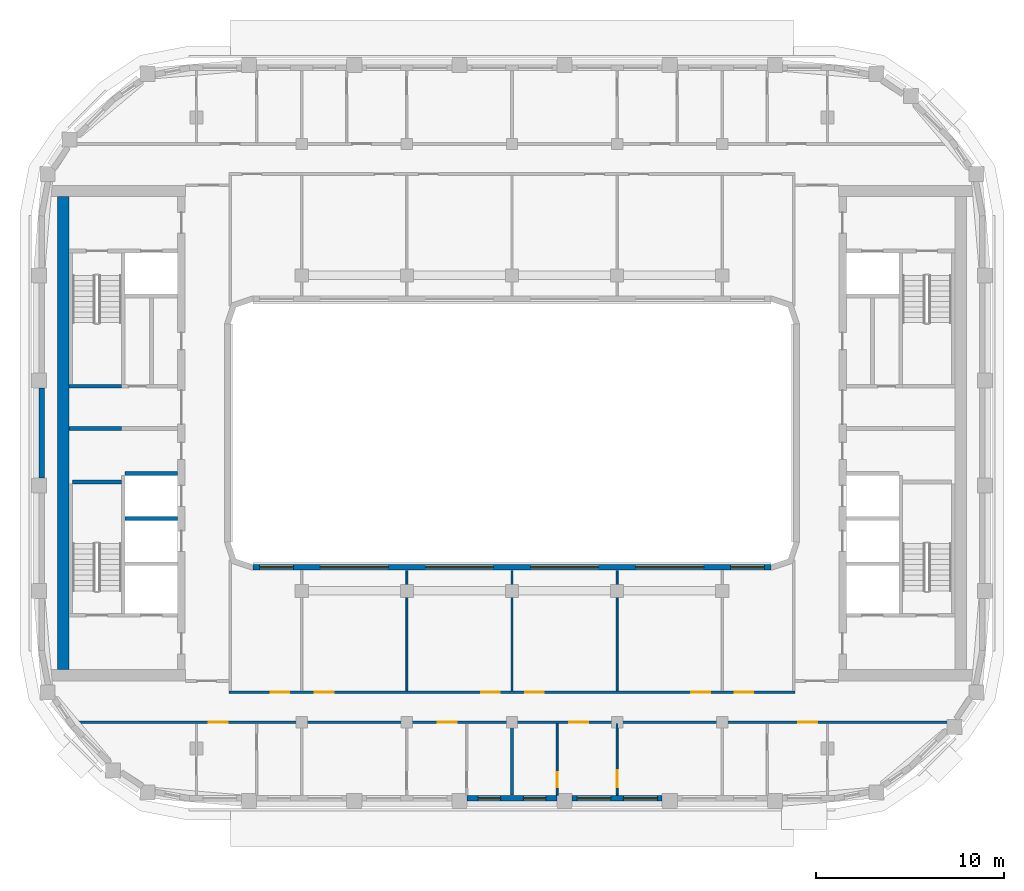
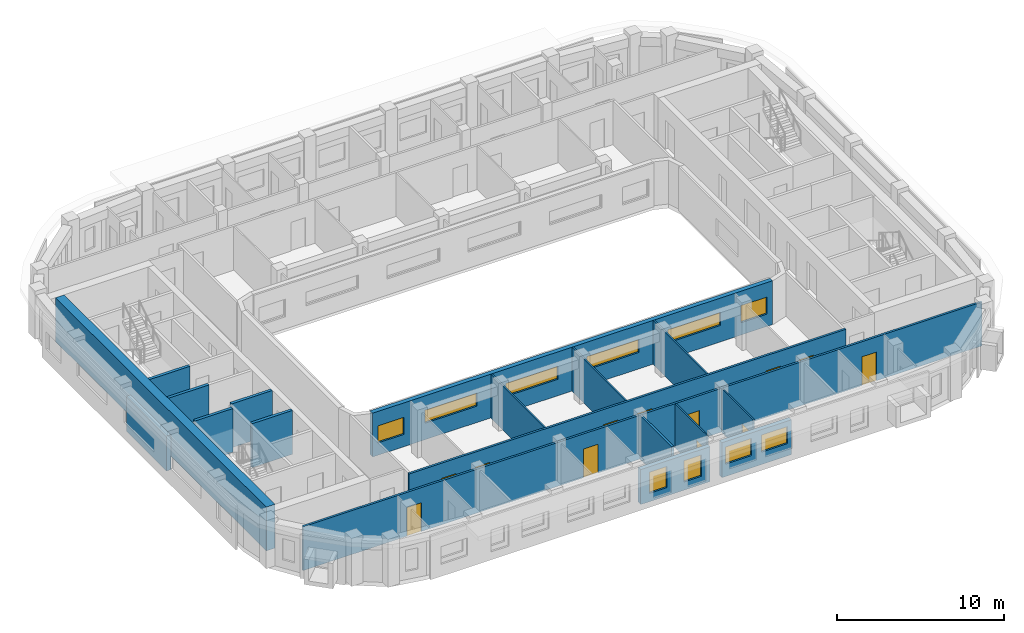
# One storey, part 3 of 15: 18 walls, 12 doors, 10 windows, 22 openings.
"""IFC4 building model written with IfcOpenShell, lengths in metres."""

import ifcopenshell
import ifcopenshell.guid

model = None  # the IFC model being written
_history = None  # IfcOwnerHistory: only IFC2X3 demands one
_inside = {}  # id of a spatial element -> (the spatial element, [elements in it])
_under = {}  # id of a project, library or spatial element -> (it, [spatial elements below it])
_declared = {}  # id of a project -> (the project, [libraries it declares])
_typed = {}  # id of a type object -> (the type object, [elements of that type])
_made_of = {}  # id of a material, layer set ... -> (it, [elements and type objects made of it])


def new_model(schema):
    """Start an empty IFC model of exactly this schema.

    Asked for "IFC4X3", IfcOpenShell would pick the latest addendum, in which some entities
    have other attributes; the version numbers below select the first issue.
    IFC2X3 requires an IfcOwnerHistory on every rooted entity: one is made here for all.
    """
    global model, _history
    if schema == "IFC4X3":
        model = ifcopenshell.file(schema_version=(4, 3, 0, 0))
    else:
        model = ifcopenshell.file(schema=schema)
    _inside.clear()
    _under.clear()
    _declared.clear()
    _typed.clear()
    _made_of.clear()
    _history = None
    if model.schema == "IFC2X3":
        org = make("IfcOrganization", Name="unknown")
        user = make(
            "IfcPersonAndOrganization",
            ThePerson=make("IfcPerson", FamilyName="unknown"),
            TheOrganization=org,
        )
        app = make(
            "IfcApplication",
            ApplicationDeveloper=org,
            Version="unknown",
            ApplicationFullName="unknown",
            ApplicationIdentifier="unknown",
        )
        _history = make(
            "IfcOwnerHistory",
            OwningUser=user,
            OwningApplication=app,
            ChangeAction="ADDED",
            CreationDate=0,
        )
    return model


def make(cls, **values):
    """One entity of the class cls with the attributes given. An attribute that is None is left unset."""
    return model.create_entity(
        cls, **{name: value for name, value in values.items() if value is not None}
    )


def rooted(cls, **values):
    """An entity with a GlobalId (a new one), such as an element, a storey or a relation."""
    return make(cls, GlobalId=ifcopenshell.guid.new(), OwnerHistory=_history, **values)


def si_unit(unit_type, name, prefix=None):
    """IfcSIUnit, for example si_unit("LENGTHUNIT", "METRE", prefix="MILLI")."""
    return make("IfcSIUnit", UnitType=unit_type, Prefix=prefix, Name=name)


def assignment(units):
    """IfcUnitAssignment: the units of a project."""
    return None if units is None else make("IfcUnitAssignment", Units=units)


def point(xyz):
    """IfcCartesianPoint."""
    return None if xyz is None else make("IfcCartesianPoint", Coordinates=xyz)


def direction(xyz):
    """IfcDirection."""
    return None if xyz is None else make("IfcDirection", DirectionRatios=xyz)


def frame(location, z_axis=None, x_axis=None):
    """IfcAxis2Placement3D, a coordinate frame: its origin and axes. An axis left out is left unset."""
    return make(
        "IfcAxis2Placement3D",
        Location=point(location),
        Axis=direction(z_axis),
        RefDirection=direction(x_axis),
    )


def frame_2d(location, x_axis=None):
    """IfcAxis2Placement2D, a coordinate frame in the plane: its origin and x axis."""
    return make(
        "IfcAxis2Placement2D", Location=point(location), RefDirection=direction(x_axis)
    )


def origin():
    """The frame at (0, 0, 0) with its axes left unset."""
    return frame((0.0, 0.0, 0.0))


def place(relative_to, where):
    """IfcLocalPlacement: puts the frame where relative to a parent placement (None: the world)."""
    return make(
        "IfcLocalPlacement", PlacementRelTo=relative_to, RelativePlacement=where
    )


def context(
    kind, dimensions, precision=None, world=None, true_north=None, identifier=None
):
    """IfcGeometricRepresentationContext, for example the 3D "Model" context."""
    return make(
        "IfcGeometricRepresentationContext",
        ContextIdentifier=identifier,
        ContextType=kind,
        CoordinateSpaceDimension=dimensions,
        Precision=precision,
        WorldCoordinateSystem=world,
        TrueNorth=true_north,
    )


def subcontext(parent, identifier, kind, view, scale=None):
    """IfcGeometricRepresentationSubContext, for example "Body" below "Model"."""
    return make(
        "IfcGeometricRepresentationSubContext",
        ContextIdentifier=identifier,
        ContextType=kind,
        ParentContext=parent,
        TargetScale=scale,
        TargetView=view,
    )


def project(units=None, contexts=None):
    """IfcProject with its units and contexts."""
    return rooted(
        "IfcProject",
        Name="project",
        RepresentationContexts=contexts,
        UnitsInContext=assignment(units),
    )


def spatial(cls, under=None, at=None, **own):
    """A site, building, storey or space (cls), placed at a placement, below another one or the project."""
    s = rooted(cls, ObjectPlacement=at, **own)
    if under is not None:
        _under.setdefault(under.id(), (under, []))[1].append(s)
    return s


def profile(cls, at=None, kind="AREA", **sizes):
    """A parametric profile (cls). Its sizes go by their IFC names, for example OverallWidth=200.0."""
    return make(cls, ProfileType=kind, Position=at, **sizes)


def rectangle(**sizes):
    """IfcRectangleProfileDef."""
    return profile("IfcRectangleProfileDef", **sizes)


def extrude(swept, where, along, depth):
    """IfcExtrudedAreaSolid: the profile swept, set in the frame where, extruded along a direction by depth."""
    return make(
        "IfcExtrudedAreaSolid",
        SweptArea=swept,
        Position=where,
        ExtrudedDirection=direction(along),
        Depth=depth,
    )


def shape(context_of_items, identifier, shape_type, items):
    """IfcShapeRepresentation: the items that make up one representation, for example the "Body"."""
    return make(
        "IfcShapeRepresentation",
        ContextOfItems=context_of_items,
        RepresentationIdentifier=identifier,
        RepresentationType=shape_type,
        Items=items,
    )


def material(Name=None, Category=None):
    """IfcMaterial."""
    return make("IfcMaterial", Name=Name, Category=Category)


def layer(
    of_material, thickness, ventilated=None, Name=None, Category=None, Priority=None
):
    """IfcMaterialLayer: one layer of a wall or slab, of a material (None: an air gap)."""
    return make(
        "IfcMaterialLayer",
        Material=of_material,
        LayerThickness=thickness,
        IsVentilated=ventilated,
        Name=Name,
        Category=Category,
        Priority=Priority,
    )


def layer_set(layers, Name=None):
    """IfcMaterialLayerSet."""
    return make("IfcMaterialLayerSet", MaterialLayers=layers, LayerSetName=Name)


def made_of(thing, what):
    """Note that an element or type object is made of a material, layer set ...; save() writes the relation."""
    if what is not None:
        _made_of.setdefault(what.id(), (what, []))[1].append(thing)
    return thing


def type_object(cls, material=None, **own):
    """A type object (cls), such as IfcWallType, which elements share."""
    return made_of(rooted(cls, **own), material)


def element(
    cls,
    number,
    at=None,
    inside=None,
    cuts=None,
    type_object=None,
    material=None,
    context=None,
    identifier="Body",
    shape_type=None,
    held_by="IfcProductDefinitionShape",
    body=None,
    shapes=None,
    **own,
):
    """One element of the class cls, such as IfcWall. Its Tag is "e" and its number.

    at: its placement. inside: the storey or other place that contains it. cuts: it is an
    opening in that element (IfcRelVoidsElement). A single representation is given by context,
    identifier, shape_type and body (its items); several are given by shapes. held_by: the class
    of the entity that holds the representations. save() writes the other relations.
    """
    e = rooted(cls, Tag="e%d" % number, ObjectPlacement=at, **own)
    if body is not None:
        shapes = [shape(context, identifier, shape_type, body)]
    if shapes is not None:
        e.Representation = make(held_by, Representations=shapes)
    if inside is not None:
        _inside.setdefault(inside.id(), (inside, []))[1].append(e)
    if cuts is not None:
        rooted(
            "IfcRelVoidsElement", RelatingBuildingElement=cuts, RelatedOpeningElement=e
        )
    if type_object is not None:
        _typed.setdefault(type_object.id(), (type_object, []))[1].append(e)
    return made_of(e, material)


def fill(opening, filler):
    """IfcRelFillsElement: the door or window that sits in an opening."""
    return rooted(
        "IfcRelFillsElement",
        RelatingOpeningElement=opening,
        RelatedBuildingElement=filler,
    )


def aggregate(whole, parts):
    """IfcRelAggregates: a whole, such as a stair, and the parts it consists of."""
    return rooted("IfcRelAggregates", RelatingObject=whole, RelatedObjects=parts)


def save(model, path):
    """Write the relations noted so far, then the file.

    IfcRelAggregates (storeys below a building ...), IfcRelContainedInSpatialStructure (elements
    in a storey), IfcRelDefinesByType, IfcRelAssociatesMaterial and IfcRelDeclares: one each for
    every whole, place, type object, material and project.
    """
    for whole, parts in _under.values():
        aggregate(whole, parts)
    for where, things in _inside.values():
        rooted(
            "IfcRelContainedInSpatialStructure",
            RelatedElements=things,
            RelatingStructure=where,
        )
    for kind, things in _typed.values():
        rooted("IfcRelDefinesByType", RelatedObjects=things, RelatingType=kind)
    for what, things in _made_of.values():
        rooted("IfcRelAssociatesMaterial", RelatedObjects=things, RelatingMaterial=what)
    for by, libraries in _declared.values():
        rooted("IfcRelDeclares", RelatingContext=by, RelatedDefinitions=libraries)
    model.write(path)


model = new_model("IFC4")

# Units and contexts
model_context = context("Model", 3, precision=1e-05, world=origin(), true_north=direction((0.0, 1.0)))
body_context = subcontext(model_context, "Body", "Model", "MODEL_VIEW")
ifc_project = project(units=[si_unit("LENGTHUNIT", "METRE"), si_unit("AREAUNIT", "SQUARE_METRE"), si_unit("VOLUMEUNIT", "CUBIC_METRE"), si_unit("PLANEANGLEUNIT", "RADIAN"), si_unit("MASSUNIT", "GRAM", prefix="KILO")], contexts=[model_context])

# Site, building, storey
site_placement = place(None, origin())
site = spatial("IfcSite", under=ifc_project, at=site_placement, CompositionType="ELEMENT")
building_placement = place(site_placement, origin())
building = spatial("IfcBuilding", under=site, at=building_placement, Name="Kiln Ring Residences", CompositionType="ELEMENT")
storey_placement = place(building_placement, frame((0.0, 0.0, 248.699951171875)))
storey = spatial("IfcBuildingStorey", under=building, at=storey_placement, Name="L64", CompositionType="ELEMENT", Elevation=248.699951171875)

# Walls
ifc_material_1 = material(Name="Gypsum board on steel studs", Category="steel")
ifc_layer_1 = layer(ifc_material_1, 0.199951171875)
ifc_layer_set_1 = layer_set([ifc_layer_1], Name="CORE-PARTITION-200")
wall_type_1 = type_object("IfcWallType", Name="CORE-PARTITION-200", PredefinedType="PARTITIONING", material=ifc_layer_set_1)
wall_1_placement = place(storey_placement, frame((-20.800048828125, 0.25, 0.0), z_axis=(0.0, 0.0, 1.0), x_axis=(-1.0, 0.0, 0.0)))
element("IfcWall", 1, at=wall_1_placement, inside=storey, type_object=wall_type_1, Name="Core partition west L64 1", PredefinedType="PARTITIONING", context=body_context, shape_type="SweptSolid", body=[
    extrude(rectangle(XDim=2.800048828125, YDim=0.199951171875, at=frame_2d((1.39990234375, 0.0))), origin(), (0.0, 0.0, 1.0), 3.199951171875),
])
ifc_material_2 = material(Name="Gypsum shaft wall system")
ifc_layer_2 = layer(ifc_material_2, 0.199951171875)
ifc_layer_set_2 = layer_set([ifc_layer_2], Name="CORE-SHAFT-WALL-200")
wall_type_2 = type_object("IfcWallType", Name="CORE-SHAFT-WALL-200", PredefinedType="PARTITIONING", material=ifc_layer_set_2)
for number, where, z_axis, x_axis, name in (
    (2, (-17.800048828125, -4.550048828125, 0.0), (0.0, 0.0, 1.0), (-1.0, 0.0, 0.0), "Core partition west L64 4"),
    (3, (-17.800048828125, -2.14990234375, 0.0), (0.0, 0.0, 1.0), (-1.0, 0.0, 0.0), "Core partition west L64 5"),
):
    element("IfcWall", number, at=place(storey_placement, frame(where, z_axis=z_axis, x_axis=x_axis)), inside=storey, type_object=wall_type_2, Name=name, PredefinedType="PARTITIONING", context=body_context, shape_type="SweptSolid", body=[
        extrude(rectangle(XDim=2.800048828125, YDim=0.199951171875, at=frame_2d((1.39990234375, 0.0))), origin(), (0.0, 0.0, 1.0), 3.199951171875),
    ])
ifc_material_3 = material(Name="Concrete C40/50", Category="concrete")
ifc_layer_3 = layer(ifc_material_3, 0.199951171875)
ifc_layer_set_3 = layer_set([ifc_layer_3], Name="CORE-WALL-RC200")
wall_type_3 = type_object("IfcWallType", Name="CORE-WALL-RC200", PredefinedType="SHEAR", material=ifc_layer_set_3)
wall_2_placement = place(storey_placement, frame((-20.800048828125, 2.5, 0.0), z_axis=(0.0, 0.0, 1.0), x_axis=(-1.0, 0.0, 0.0)))
element("IfcWall", 4, at=wall_2_placement, inside=storey, type_object=wall_type_3, Name="Core wall west L64 3", PredefinedType="SHEAR", context=body_context, shape_type="SweptSolid", body=[
    extrude(rectangle(XDim=2.800048828125, YDim=0.199951171875, at=frame_2d((1.39990234375, 0.0))), origin(), (0.0, 0.0, 1.0), 3.199951171875),
])
wall_3_placement = place(storey_placement, frame((-20.800048828125, -2.60009765625, 0.0), z_axis=(0.0, 0.0, 1.0), x_axis=(-1.0, 0.0, 0.0)))
element("IfcWall", 5, at=wall_3_placement, inside=storey, type_object=wall_type_3, Name="Core wall west L64 12", PredefinedType="SHEAR", context=body_context, shape_type="SweptSolid", body=[
    extrude(rectangle(XDim=2.599853515625, YDim=0.199951171875, at=frame_2d((1.2998046875, 0.0))), origin(), (0.0, 0.0, 1.0), 3.199951171875),
])
ifc_material_4 = material(Name="Concrete C60/75", Category="concrete")
ifc_layer_4 = layer(ifc_material_4, 0.60009765625)
ifc_layer_set_4 = layer_set([ifc_layer_4], Name="CORE-WALL-RC600")
wall_type_4 = type_object("IfcWallType", Name="CORE-WALL-RC600", PredefinedType="SHEAR", material=ifc_layer_set_4)
wall_4_placement = place(storey_placement, frame((-23.89990234375, -12.60009765625, 0.0), z_axis=(0.0, 0.0, 1.0), x_axis=(0.0, 1.0, 0.0)))
element("IfcWall", 6, at=wall_4_placement, inside=storey, type_object=wall_type_4, Name="Core wall west L64 7", PredefinedType="SHEAR", context=body_context, shape_type="SweptSolid", body=[
    extrude(rectangle(XDim=25.2001953125, YDim=0.60009765625, at=frame_2d((12.60009765625, 0.0))), origin(), (0.0, 0.0, 1.0), 3.199951171875),
])

# Wall, openings, windows
ifc_material_5 = material(Name="Brick masonry, dark clay brick", Category="masonry")
ifc_layer_5 = layer(ifc_material_5, 0.300048828125)
ifc_layer_set_5 = layer_set([ifc_layer_5], Name="EW-300 BRICK WALL")
wall_type_5 = type_object("IfcWallType", Name="EW-300 BRICK WALL", PredefinedType="SOLIDWALL", material=ifc_layer_set_5)
wall_5_placement = place(storey_placement, frame((-2.39990234375, -19.449951171875, 0.0), z_axis=(0.0, 0.0, 1.0), x_axis=(1.0, 0.0, 0.0)))
wall_5 = element("IfcWall", 7, at=wall_5_placement, inside=storey, type_object=wall_type_5, Name="Facade wall L64 7", PredefinedType="SOLIDWALL", context=body_context, shape_type="SweptSolid", body=[
    extrude(rectangle(XDim=4.7998046875, YDim=0.300048828125, at=frame_2d((2.39990234375, 0.0))), origin(), (0.0, 0.0, 1.0), 2.550048828125),
])
opening_1_placement = place(wall_5_placement, frame((0.60009765625, 0.0, 0.60009765625)))
opening_1 = element("IfcOpeningElement", 8, at=opening_1_placement, cuts=wall_5, Name="Opening W1", PredefinedType="OPENING", context=body_context, shape_type="SweptSolid", body=[
    extrude(rectangle(XDim=1.199951171875, YDim=1.550048828125, at=frame_2d((0.60009765625, 0.77490234375))), frame((0.0, 0.159912109375, 0.0), z_axis=(0.0, -1.0, 0.0), x_axis=(1.0, 0.0, 0.0)), (0.0, 0.0, 1.0), 0.320068359375),
])
opening_2_placement = place(wall_5_placement, frame((3.0, 0.0, 0.60009765625)))
opening_2 = element("IfcOpeningElement", 9, at=opening_2_placement, cuts=wall_5, Name="Opening W1", PredefinedType="OPENING", context=body_context, shape_type="SweptSolid", body=[
    extrude(rectangle(XDim=1.199951171875, YDim=1.550048828125, at=frame_2d((0.60009765625, 0.77490234375))), frame((0.0, 0.159912109375, 0.0), z_axis=(0.0, -1.0, 0.0), x_axis=(1.0, 0.0, 0.0)), (0.0, 0.0, 1.0), 0.320068359375),
])
ifc_material_6 = material(Name="Aluminium frame with double glazing", Category="aluminium")
window_type_1 = type_object("IfcWindowType", Name="WINDOW 1200 x 1550", PartitioningType="SINGLE_PANEL", PredefinedType="WINDOW", material=ifc_material_6)
window_1_placement = place(opening_1_placement, origin())
window_1 = element("IfcWindow", 10, at=window_1_placement, inside=storey, type_object=window_type_1, Name="Window L64 8", OverallHeight=1.550048828125, OverallWidth=1.199951171875, PartitioningType="SINGLE_PANEL", PredefinedType="WINDOW", context=body_context, shape_type="SweptSolid", body=[
    extrude(rectangle(XDim=1.199951171875, YDim=1.550048828125, at=frame_2d((0.60009765625, 0.77490234375))), frame((0.0, 0.030029296875, 0.0), z_axis=(0.0, -1.0, 0.0), x_axis=(1.0, 0.0, 0.0)), (0.0, 0.0, 1.0), 0.06005859375),
])
fill(opening_1, window_1)
window_2_placement = place(opening_2_placement, origin())
window_2 = element("IfcWindow", 11, at=window_2_placement, inside=storey, type_object=window_type_1, Name="Window L64 9", OverallHeight=1.550048828125, OverallWidth=1.199951171875, PartitioningType="SINGLE_PANEL", PredefinedType="WINDOW", context=body_context, shape_type="SweptSolid", body=[
    extrude(rectangle(XDim=1.199951171875, YDim=1.550048828125, at=frame_2d((0.60009765625, 0.77490234375))), frame((0.0, 0.030029296875, 0.0), z_axis=(0.0, -1.0, 0.0), x_axis=(1.0, 0.0, 0.0)), (0.0, 0.0, 1.0), 0.06005859375),
])
fill(opening_2, window_2)

wall_6_placement = place(storey_placement, frame((3.199951171875, -19.449951171875, 0.0), z_axis=(0.0, 0.0, 1.0), x_axis=(1.0, 0.0, 0.0)))
wall_6 = element("IfcWall", 12, at=wall_6_placement, inside=storey, type_object=wall_type_5, Name="Facade wall L64 8", PredefinedType="SOLIDWALL", context=body_context, shape_type="SweptSolid", body=[
    extrude(rectangle(XDim=4.800048828125, YDim=0.300048828125, at=frame_2d((2.39990234375, 0.0))), origin(), (0.0, 0.0, 1.0), 2.550048828125),
])
opening_3_placement = place(wall_6_placement, frame((0.262451171875, 0.0, 0.89990234375)))
opening_3 = element("IfcOpeningElement", 13, at=opening_3_placement, cuts=wall_6, Name="Opening W2", PredefinedType="OPENING", context=body_context, shape_type="SweptSolid", body=[
    extrude(rectangle(XDim=1.800048828125, YDim=1.25, at=frame_2d((0.89990234375, 0.625))), frame((0.0, 0.159912109375, 0.0), z_axis=(0.0, -1.0, 0.0), x_axis=(1.0, 0.0, 0.0)), (0.0, 0.0, 1.0), 0.320068359375),
])
opening_4_placement = place(wall_6_placement, frame((2.737548828125, 0.0, 0.89990234375)))
opening_4 = element("IfcOpeningElement", 14, at=opening_4_placement, cuts=wall_6, Name="Opening W2", PredefinedType="OPENING", context=body_context, shape_type="SweptSolid", body=[
    extrude(rectangle(XDim=1.800048828125, YDim=1.25, at=frame_2d((0.89990234375, 0.625))), frame((0.0, 0.159912109375, 0.0), z_axis=(0.0, -1.0, 0.0), x_axis=(1.0, 0.0, 0.0)), (0.0, 0.0, 1.0), 0.320068359375),
])
ifc_material_7 = material(Name="Aluminium frame with double glazing", Category="aluminium")
window_type_2 = type_object("IfcWindowType", Name="WINDOW 1800 x 1250", PartitioningType="SINGLE_PANEL", PredefinedType="WINDOW", material=ifc_material_7)
window_3_placement = place(opening_3_placement, origin())
window_3 = element("IfcWindow", 15, at=window_3_placement, inside=storey, type_object=window_type_2, Name="Window L64 10", OverallHeight=1.25, OverallWidth=1.800048828125, PartitioningType="SINGLE_PANEL", PredefinedType="WINDOW", context=body_context, shape_type="SweptSolid", body=[
    extrude(rectangle(XDim=1.800048828125, YDim=1.25, at=frame_2d((0.89990234375, 0.625))), frame((0.0, 0.030029296875, 0.0), z_axis=(0.0, -1.0, 0.0), x_axis=(1.0, 0.0, 0.0)), (0.0, 0.0, 1.0), 0.06005859375),
])
fill(opening_3, window_3)
window_4_placement = place(opening_4_placement, origin())
window_4 = element("IfcWindow", 16, at=window_4_placement, inside=storey, type_object=window_type_2, Name="Window L64 11", OverallHeight=1.25, OverallWidth=1.800048828125, PartitioningType="SINGLE_PANEL", PredefinedType="WINDOW", context=body_context, shape_type="SweptSolid", body=[
    extrude(rectangle(XDim=1.800048828125, YDim=1.25, at=frame_2d((0.89990234375, 0.625))), frame((0.0, 0.030029296875, 0.0), z_axis=(0.0, -1.0, 0.0), x_axis=(1.0, 0.0, 0.0)), (0.0, 0.0, 1.0), 0.06005859375),
])
fill(opening_4, window_4)

# Wall
wall_7_placement = place(storey_placement, frame((-25.050048828125, 2.39990234375, 0.0), z_axis=(0.0, 0.0, 1.0), x_axis=(0.0, -1.0, 0.0)))
element("IfcWall", 17, at=wall_7_placement, inside=storey, type_object=wall_type_5, Name="Facade wall L64 40", PredefinedType="SOLIDWALL", context=body_context, shape_type="SweptSolid", body=[
    extrude(rectangle(XDim=4.7998046875, YDim=0.300048828125, at=frame_2d((2.39990234375, 0.0))), origin(), (0.0, 0.0, 1.0), 2.550048828125),
])

# Wall, openings, windows
wall_8_placement = place(storey_placement, frame((13.800048828125, -7.14990234375, 0.0), z_axis=(0.0, 0.0, 1.0), x_axis=(-1.0, 0.0, 0.0)))
wall_8 = element("IfcWall", 18, at=wall_8_placement, inside=storey, type_object=wall_type_5, Name="Facade wall L64 48", PredefinedType="SOLIDWALL", context=body_context, shape_type="SweptSolid", body=[
    extrude(rectangle(XDim=27.60009765625, YDim=0.300048828125, at=frame_2d((13.800048828125, 0.0))), origin(), (0.0, 0.0, 1.0), 3.199951171875),
])
opening_5_placement = place(wall_8_placement, frame((0.362548828125, 0.0, 0.89990234375)))
opening_5 = element("IfcOpeningElement", 19, at=opening_5_placement, cuts=wall_8, Name="Opening W2", PredefinedType="OPENING", context=body_context, shape_type="SweptSolid", body=[
    extrude(rectangle(XDim=1.800048828125, YDim=1.25, at=frame_2d((0.89990234375, 0.625))), frame((0.0, 0.159912109375, 0.0), z_axis=(0.0, -1.0, 0.0), x_axis=(1.0, 0.0, 0.0)), (0.0, 0.0, 1.0), 0.320068359375),
])
opening_6_placement = place(wall_8_placement, frame((3.60009765625, 0.0, 1.199951171875)))
opening_6 = element("IfcOpeningElement", 20, at=opening_6_placement, cuts=wall_8, Name="Opening W4", PredefinedType="OPENING", context=body_context, shape_type="SweptSolid", body=[
    extrude(rectangle(XDim=3.60009765625, YDim=0.949951171875, at=frame_2d((1.800048828125, 0.47509765625))), frame((0.0, 0.159912109375, 0.0), z_axis=(0.0, -1.0, 0.0), x_axis=(1.0, 0.0, 0.0)), (0.0, 0.0, 1.0), 0.320068359375),
])
opening_7_placement = place(wall_8_placement, frame((9.199951171875, 0.0, 1.199951171875)))
opening_7 = element("IfcOpeningElement", 21, at=opening_7_placement, cuts=wall_8, Name="Opening W4", PredefinedType="OPENING", context=body_context, shape_type="SweptSolid", body=[
    extrude(rectangle(XDim=3.60009765625, YDim=0.949951171875, at=frame_2d((1.800048828125, 0.47509765625))), frame((0.0, 0.159912109375, 0.0), z_axis=(0.0, -1.0, 0.0), x_axis=(1.0, 0.0, 0.0)), (0.0, 0.0, 1.0), 0.320068359375),
])
opening_8_placement = place(wall_8_placement, frame((14.800048828125, 0.0, 1.199951171875)))
opening_8 = element("IfcOpeningElement", 22, at=opening_8_placement, cuts=wall_8, Name="Opening W4", PredefinedType="OPENING", context=body_context, shape_type="SweptSolid", body=[
    extrude(rectangle(XDim=3.60009765625, YDim=0.949951171875, at=frame_2d((1.800048828125, 0.47509765625))), frame((0.0, 0.159912109375, 0.0), z_axis=(0.0, -1.0, 0.0), x_axis=(1.0, 0.0, 0.0)), (0.0, 0.0, 1.0), 0.320068359375),
])
opening_9_placement = place(wall_8_placement, frame((20.39990234375, 0.0, 1.199951171875)))
opening_9 = element("IfcOpeningElement", 23, at=opening_9_placement, cuts=wall_8, Name="Opening W4", PredefinedType="OPENING", context=body_context, shape_type="SweptSolid", body=[
    extrude(rectangle(XDim=3.60009765625, YDim=0.949951171875, at=frame_2d((1.800048828125, 0.47509765625))), frame((0.0, 0.159912109375, 0.0), z_axis=(0.0, -1.0, 0.0), x_axis=(1.0, 0.0, 0.0)), (0.0, 0.0, 1.0), 0.320068359375),
])
opening_10_placement = place(wall_8_placement, frame((25.4375, 0.0, 0.89990234375)))
opening_10 = element("IfcOpeningElement", 24, at=opening_10_placement, cuts=wall_8, Name="Opening W2", PredefinedType="OPENING", context=body_context, shape_type="SweptSolid", body=[
    extrude(rectangle(XDim=1.800048828125, YDim=1.25, at=frame_2d((0.89990234375, 0.625))), frame((0.0, 0.159912109375, 0.0), z_axis=(0.0, -1.0, 0.0), x_axis=(1.0, 0.0, 0.0)), (0.0, 0.0, 1.0), 0.320068359375),
])
window_5_placement = place(opening_5_placement, origin())
window_5 = element("IfcWindow", 25, at=window_5_placement, inside=storey, type_object=window_type_2, Name="Window L64 43", OverallHeight=1.25, OverallWidth=1.800048828125, PartitioningType="SINGLE_PANEL", PredefinedType="WINDOW", context=body_context, shape_type="SweptSolid", body=[
    extrude(rectangle(XDim=1.800048828125, YDim=1.25, at=frame_2d((0.89990234375, 0.625))), frame((0.0, 0.030029296875, 0.0), z_axis=(0.0, -1.0, 0.0), x_axis=(1.0, 0.0, 0.0)), (0.0, 0.0, 1.0), 0.06005859375),
])
fill(opening_5, window_5)
window_6_placement = place(opening_10_placement, origin())
window_6 = element("IfcWindow", 26, at=window_6_placement, inside=storey, type_object=window_type_2, Name="Window L64 48", OverallHeight=1.25, OverallWidth=1.800048828125, PartitioningType="SINGLE_PANEL", PredefinedType="WINDOW", context=body_context, shape_type="SweptSolid", body=[
    extrude(rectangle(XDim=1.800048828125, YDim=1.25, at=frame_2d((0.89990234375, 0.625))), frame((0.0, 0.030029296875, 0.0), z_axis=(0.0, -1.0, 0.0), x_axis=(1.0, 0.0, 0.0)), (0.0, 0.0, 1.0), 0.06005859375),
])
fill(opening_10, window_6)
ifc_material_8 = material(Name="Aluminium frame with double glazing", Category="aluminium")
window_type_3 = type_object("IfcWindowType", Name="WINDOW 3600 x 950", PartitioningType="SINGLE_PANEL", PredefinedType="WINDOW", material=ifc_material_8)
window_7_placement = place(opening_6_placement, origin())
window_7 = element("IfcWindow", 27, at=window_7_placement, inside=storey, type_object=window_type_3, Name="Window L64 44", OverallHeight=0.949951171875, OverallWidth=3.60009765625, PartitioningType="SINGLE_PANEL", PredefinedType="WINDOW", context=body_context, shape_type="SweptSolid", body=[
    extrude(rectangle(XDim=3.60009765625, YDim=0.949951171875, at=frame_2d((1.800048828125, 0.47509765625))), frame((0.0, 0.030029296875, 0.0), z_axis=(0.0, -1.0, 0.0), x_axis=(1.0, 0.0, 0.0)), (0.0, 0.0, 1.0), 0.06005859375),
])
fill(opening_6, window_7)
window_8_placement = place(opening_7_placement, origin())
window_8 = element("IfcWindow", 28, at=window_8_placement, inside=storey, type_object=window_type_3, Name="Window L64 45", OverallHeight=0.949951171875, OverallWidth=3.60009765625, PartitioningType="SINGLE_PANEL", PredefinedType="WINDOW", context=body_context, shape_type="SweptSolid", body=[
    extrude(rectangle(XDim=3.60009765625, YDim=0.949951171875, at=frame_2d((1.800048828125, 0.47509765625))), frame((0.0, 0.030029296875, 0.0), z_axis=(0.0, -1.0, 0.0), x_axis=(1.0, 0.0, 0.0)), (0.0, 0.0, 1.0), 0.06005859375),
])
fill(opening_7, window_8)
window_9_placement = place(opening_8_placement, origin())
window_9 = element("IfcWindow", 29, at=window_9_placement, inside=storey, type_object=window_type_3, Name="Window L64 46", OverallHeight=0.949951171875, OverallWidth=3.60009765625, PartitioningType="SINGLE_PANEL", PredefinedType="WINDOW", context=body_context, shape_type="SweptSolid", body=[
    extrude(rectangle(XDim=3.60009765625, YDim=0.949951171875, at=frame_2d((1.800048828125, 0.47509765625))), frame((0.0, 0.030029296875, 0.0), z_axis=(0.0, -1.0, 0.0), x_axis=(1.0, 0.0, 0.0)), (0.0, 0.0, 1.0), 0.06005859375),
])
fill(opening_8, window_9)
window_10_placement = place(opening_9_placement, origin())
window_10 = element("IfcWindow", 30, at=window_10_placement, inside=storey, type_object=window_type_3, Name="Window L64 47", OverallHeight=0.949951171875, OverallWidth=3.60009765625, PartitioningType="SINGLE_PANEL", PredefinedType="WINDOW", context=body_context, shape_type="SweptSolid", body=[
    extrude(rectangle(XDim=3.60009765625, YDim=0.949951171875, at=frame_2d((1.800048828125, 0.47509765625))), frame((0.0, 0.030029296875, 0.0), z_axis=(0.0, -1.0, 0.0), x_axis=(1.0, 0.0, 0.0)), (0.0, 0.0, 1.0), 0.06005859375),
])
fill(opening_9, window_10)

# Walls
ifc_material_9 = material(Name="Gypsum board on steel studs", Category="steel")
ifc_layer_6 = layer(ifc_material_9, 0.10009765625)
ifc_layer_set_6 = layer_set([ifc_layer_6], Name="PARTITION-100")
wall_type_6 = type_object("IfcWallType", Name="PARTITION-100", PredefinedType="PARTITIONING", material=ifc_layer_set_6)
for number, where, z_axis, x_axis, name in (
    (31, (-5.60009765625, -13.72509765625, 0.0), (0.0, 0.0, 1.0), (0.0, 1.0, 0.0), "Partition 020"),
    (32, (0.0, -13.72509765625, 0.0), (0.0, 0.0, 1.0), (0.0, 1.0, 0.0), "Partition 024"),
):
    element("IfcWall", number, at=place(storey_placement, frame(where, z_axis=z_axis, x_axis=x_axis)), inside=storey, type_object=wall_type_6, Name=name, PredefinedType="PARTITIONING", context=body_context, shape_type="SweptSolid", body=[
        extrude(rectangle(XDim=6.405029296875, YDim=0.10009765625, at=frame_2d((3.20263671875, 0.0))), origin(), (0.0, 0.0, 1.0), 3.199951171875),
    ])

# Wall, opening, door
wall_9_placement = place(storey_placement, frame((2.39990234375, -19.280029296875, 0.0), z_axis=(0.0, 0.0, 1.0), x_axis=(0.0, 1.0, 0.0)))
wall_9 = element("IfcWall", 33, at=wall_9_placement, inside=storey, type_object=wall_type_6, Name="Partition 028", PredefinedType="PARTITIONING", context=body_context, shape_type="SweptSolid", body=[
    extrude(rectangle(XDim=3.804931640625, YDim=0.10009765625, at=frame_2d((1.90234375, 0.0))), origin(), (0.0, 0.0, 1.0), 3.199951171875),
])
opening_11_placement = place(wall_9_placement, frame((0.428955078125, 0.0, 0.0)))
opening_11 = element("IfcOpeningElement", 34, at=opening_11_placement, cuts=wall_9, Name="Opening L64-D036", PredefinedType="OPENING", context=body_context, shape_type="SweptSolid", body=[
    extrude(rectangle(XDim=0.800048828125, YDim=2.10009765625, at=frame_2d((0.39990234375, 1.050048828125))), frame((0.0, 0.06005859375, 0.0), z_axis=(0.0, -1.0, 0.0), x_axis=(1.0, 0.0, 0.0)), (0.0, 0.0, 1.0), 0.1201171875),
])
ifc_material_10 = material(Name="Timber door leaf", Category="wood")
door_type_1 = type_object("IfcDoorType", Name="FLAT-DOOR-800-PL", OperationType="SINGLE_SWING_LEFT", PredefinedType="DOOR", material=ifc_material_10)
door_1_placement = place(opening_11_placement, origin())
door_1 = element("IfcDoor", 35, at=door_1_placement, inside=storey, type_object=door_type_1, Name="Door L64-D036", OperationType="SINGLE_SWING_RIGHT", OverallHeight=2.10009765625, OverallWidth=0.800048828125, PredefinedType="DOOR", context=body_context, shape_type="SweptSolid", body=[
    extrude(rectangle(XDim=0.800048828125, YDim=2.10009765625, at=frame_2d((0.39990234375, 1.050048828125))), frame((0.0, 0.02490234375, 0.0), z_axis=(0.0, -1.0, 0.0), x_axis=(1.0, 0.0, 0.0)), (0.0, 0.0, 1.0), 0.050048828125),
])
fill(opening_11, door_1)

wall_10_placement = place(storey_placement, frame((5.60009765625, -19.280029296875, 0.0), z_axis=(0.0, 0.0, 1.0), x_axis=(0.0, 1.0, 0.0)))
wall_10 = element("IfcWall", 36, at=wall_10_placement, inside=storey, type_object=wall_type_6, Name="Partition 029", PredefinedType="PARTITIONING", context=body_context, shape_type="SweptSolid", body=[
    extrude(rectangle(XDim=3.804931640625, YDim=0.10009765625, at=frame_2d((1.90234375, 0.0))), origin(), (0.0, 0.0, 1.0), 3.199951171875),
])
opening_12_placement = place(wall_10_placement, frame((0.419921875, 0.0, 0.0)))
opening_12 = element("IfcOpeningElement", 37, at=opening_12_placement, cuts=wall_10, Name="Opening L64-D037", PredefinedType="OPENING", context=body_context, shape_type="SweptSolid", body=[
    extrude(rectangle(XDim=0.89990234375, YDim=2.10009765625, at=frame_2d((0.449951171875, 1.050048828125))), frame((0.0, 0.06005859375, 0.0), z_axis=(0.0, -1.0, 0.0), x_axis=(1.0, 0.0, 0.0)), (0.0, 0.0, 1.0), 0.1201171875),
])
ifc_material_11 = material(Name="Timber door leaf", Category="wood")
door_type_2 = type_object("IfcDoorType", Name="FLAT-DOOR-900-PL", OperationType="SINGLE_SWING_LEFT", PredefinedType="DOOR", material=ifc_material_11)
door_2_placement = place(opening_12_placement, origin())
door_2 = element("IfcDoor", 38, at=door_2_placement, inside=storey, type_object=door_type_2, Name="Door L64-D037", OperationType="SINGLE_SWING_LEFT", OverallHeight=2.10009765625, OverallWidth=0.89990234375, PredefinedType="DOOR", context=body_context, shape_type="SweptSolid", body=[
    extrude(rectangle(XDim=0.89990234375, YDim=2.10009765625, at=frame_2d((0.449951171875, 1.050048828125))), frame((0.0, 0.02490234375, 0.0), z_axis=(0.0, -1.0, 0.0), x_axis=(1.0, 0.0, 0.0)), (0.0, 0.0, 1.0), 0.050048828125),
])
fill(opening_12, door_2)

# Wall
wall_11_placement = place(storey_placement, frame((5.60009765625, -13.72509765625, 0.0), z_axis=(0.0, 0.0, 1.0), x_axis=(0.0, 1.0, 0.0)))
element("IfcWall", 39, at=wall_11_placement, inside=storey, type_object=wall_type_6, Name="Partition 030", PredefinedType="PARTITIONING", context=body_context, shape_type="SweptSolid", body=[
    extrude(rectangle(XDim=6.405029296875, YDim=0.10009765625, at=frame_2d((3.20263671875, 0.0))), origin(), (0.0, 0.0, 1.0), 3.199951171875),
])

# Wall, openings, doors
ifc_material_12 = material(Name="Brick masonry partition", Category="masonry")
ifc_layer_7 = layer(ifc_material_12, 0.14990234375)
ifc_layer_set_7 = layer_set([ifc_layer_7], Name="PARTITION-150-ei60")
wall_type_7 = type_object("IfcWallType", Name="PARTITION-150-ei60", PredefinedType="PARTITIONING", material=ifc_layer_set_7)
wall_12_placement = place(storey_placement, frame((-23.322021484375, -15.39990234375, 0.0), z_axis=(0.0, 0.0, 1.0), x_axis=(1.0, 0.0, 0.0)))
wall_12 = element("IfcWall", 40, at=wall_12_placement, inside=storey, type_object=wall_type_7, Name="Partition 000", PredefinedType="PARTITIONING", context=body_context, shape_type="SweptSolid", body=[
    extrude(rectangle(XDim=46.8720703125, YDim=0.14990234375, at=frame_2d((23.43603515625, 0.0))), origin(), (0.0, 0.0, 1.0), 3.199951171875),
])
opening_13_placement = place(wall_12_placement, frame((7.172119140625, 0.0, 0.0)))
opening_13 = element("IfcOpeningElement", 41, at=opening_13_placement, cuts=wall_12, Name="Opening L64-D029", PredefinedType="OPENING", context=body_context, shape_type="SweptSolid", body=[
    extrude(rectangle(XDim=1.0, YDim=2.10009765625, at=frame_2d((0.5, 1.050048828125))), frame((0.0, 0.0849609375, 0.0), z_axis=(0.0, -1.0, 0.0), x_axis=(1.0, 0.0, 0.0)), (0.0, 0.0, 1.0), 0.169921875),
])
opening_14_placement = place(wall_12_placement, frame((19.3720703125, 0.0, 0.0)))
opening_14 = element("IfcOpeningElement", 42, at=opening_14_placement, cuts=wall_12, Name="Opening L64-D032", PredefinedType="OPENING", context=body_context, shape_type="SweptSolid", body=[
    extrude(rectangle(XDim=1.0, YDim=2.10009765625, at=frame_2d((0.5, 1.050048828125))), frame((0.0, 0.0849609375, 0.0), z_axis=(0.0, -1.0, 0.0), x_axis=(1.0, 0.0, 0.0)), (0.0, 0.0, 1.0), 0.169921875),
])
opening_15_placement = place(wall_12_placement, frame((26.3720703125, 0.0, 0.0)))
opening_15 = element("IfcOpeningElement", 43, at=opening_15_placement, cuts=wall_12, Name="Opening L64-D035", PredefinedType="OPENING", context=body_context, shape_type="SweptSolid", body=[
    extrude(rectangle(XDim=1.0, YDim=2.10009765625, at=frame_2d((0.5, 1.050048828125))), frame((0.0, 0.0849609375, 0.0), z_axis=(0.0, -1.0, 0.0), x_axis=(1.0, 0.0, 0.0)), (0.0, 0.0, 1.0), 0.169921875),
])
opening_16_placement = place(wall_12_placement, frame((38.572021484375, 0.0, 0.0)))
opening_16 = element("IfcOpeningElement", 44, at=opening_16_placement, cuts=wall_12, Name="Opening L64-D038", PredefinedType="OPENING", context=body_context, shape_type="SweptSolid", body=[
    extrude(rectangle(XDim=1.0, YDim=2.10009765625, at=frame_2d((0.5, 1.050048828125))), frame((0.0, 0.0849609375, 0.0), z_axis=(0.0, -1.0, 0.0), x_axis=(1.0, 0.0, 0.0)), (0.0, 0.0, 1.0), 0.169921875),
])
ifc_material_13 = material(Name="Steel faced fire door leaf", Category="steel")
door_type_3 = type_object("IfcDoorType", Name="FLAT-DOOR-1000-FR", OperationType="SINGLE_SWING_LEFT", PredefinedType="DOOR", material=ifc_material_13)
door_3_placement = place(opening_13_placement, origin())
door_3 = element("IfcDoor", 45, at=door_3_placement, inside=storey, type_object=door_type_3, Name="Door L64-D029", OperationType="SINGLE_SWING_LEFT", OverallHeight=2.10009765625, OverallWidth=1.0, PredefinedType="DOOR", context=body_context, shape_type="SweptSolid", body=[
    extrude(rectangle(XDim=1.0, YDim=2.10009765625, at=frame_2d((0.5, 1.050048828125))), frame((0.0, 0.02490234375, 0.0), z_axis=(0.0, -1.0, 0.0), x_axis=(1.0, 0.0, 0.0)), (0.0, 0.0, 1.0), 0.050048828125),
])
fill(opening_13, door_3)
door_4_placement = place(opening_14_placement, origin())
door_4 = element("IfcDoor", 46, at=door_4_placement, inside=storey, type_object=door_type_3, Name="Door L64-D032", OperationType="SINGLE_SWING_RIGHT", OverallHeight=2.10009765625, OverallWidth=1.0, PredefinedType="DOOR", context=body_context, shape_type="SweptSolid", body=[
    extrude(rectangle(XDim=1.0, YDim=2.10009765625, at=frame_2d((0.5, 1.050048828125))), frame((0.0, 0.02490234375, 0.0), z_axis=(0.0, -1.0, 0.0), x_axis=(1.0, 0.0, 0.0)), (0.0, 0.0, 1.0), 0.050048828125),
])
fill(opening_14, door_4)
door_5_placement = place(opening_15_placement, origin())
door_5 = element("IfcDoor", 47, at=door_5_placement, inside=storey, type_object=door_type_3, Name="Door L64-D035", OperationType="SINGLE_SWING_LEFT", OverallHeight=2.10009765625, OverallWidth=1.0, PredefinedType="DOOR", context=body_context, shape_type="SweptSolid", body=[
    extrude(rectangle(XDim=1.0, YDim=2.10009765625, at=frame_2d((0.5, 1.050048828125))), frame((0.0, 0.02490234375, 0.0), z_axis=(0.0, -1.0, 0.0), x_axis=(1.0, 0.0, 0.0)), (0.0, 0.0, 1.0), 0.050048828125),
])
fill(opening_15, door_5)
door_6_placement = place(opening_16_placement, origin())
door_6 = element("IfcDoor", 48, at=door_6_placement, inside=storey, type_object=door_type_3, Name="Door L64-D038", OperationType="SINGLE_SWING_RIGHT", OverallHeight=2.10009765625, OverallWidth=1.0, PredefinedType="DOOR", context=body_context, shape_type="SweptSolid", body=[
    extrude(rectangle(XDim=1.0, YDim=2.10009765625, at=frame_2d((0.5, 1.050048828125))), frame((0.0, 0.02490234375, 0.0), z_axis=(0.0, -1.0, 0.0), x_axis=(1.0, 0.0, 0.0)), (0.0, 0.0, 1.0), 0.050048828125),
])
fill(opening_16, door_6)

wall_13_placement = place(storey_placement, frame((-15.074951171875, -13.800048828125, 0.0), z_axis=(0.0, 0.0, 1.0), x_axis=(1.0, 0.0, 0.0)))
wall_13 = element("IfcWall", 49, at=wall_13_placement, inside=storey, type_object=wall_type_7, Name="Partition 001", PredefinedType="PARTITIONING", context=body_context, shape_type="SweptSolid", body=[
    extrude(rectangle(XDim=30.14990234375, YDim=0.14990234375, at=frame_2d((15.074951171875, 0.0))), origin(), (0.0, 0.0, 1.0), 3.199951171875),
])
opening_17_placement = place(wall_13_placement, frame((2.22509765625, 0.0, 0.0)))
opening_17 = element("IfcOpeningElement", 50, at=opening_17_placement, cuts=wall_13, Name="Opening L64-D023", PredefinedType="OPENING", context=body_context, shape_type="SweptSolid", body=[
    extrude(rectangle(XDim=1.0, YDim=2.10009765625, at=frame_2d((0.5, 1.050048828125))), frame((0.0, 0.0849609375, 0.0), z_axis=(0.0, -1.0, 0.0), x_axis=(1.0, 0.0, 0.0)), (0.0, 0.0, 1.0), 0.169921875),
])
opening_18_placement = place(wall_13_placement, frame((4.574951171875, 0.0, 0.0)))
opening_18 = element("IfcOpeningElement", 51, at=opening_18_placement, cuts=wall_13, Name="Opening L64-D024", PredefinedType="OPENING", context=body_context, shape_type="SweptSolid", body=[
    extrude(rectangle(XDim=1.0, YDim=2.10009765625, at=frame_2d((0.5, 1.050048828125))), frame((0.0, 0.0849609375, 0.0), z_axis=(0.0, -1.0, 0.0), x_axis=(1.0, 0.0, 0.0)), (0.0, 0.0, 1.0), 0.169921875),
])
opening_19_placement = place(wall_13_placement, frame((13.425048828125, 0.0, 0.0)))
opening_19 = element("IfcOpeningElement", 52, at=opening_19_placement, cuts=wall_13, Name="Opening L64-D025", PredefinedType="OPENING", context=body_context, shape_type="SweptSolid", body=[
    extrude(rectangle(XDim=1.0, YDim=2.10009765625, at=frame_2d((0.5, 1.050048828125))), frame((0.0, 0.0849609375, 0.0), z_axis=(0.0, -1.0, 0.0), x_axis=(1.0, 0.0, 0.0)), (0.0, 0.0, 1.0), 0.169921875),
])
opening_20_placement = place(wall_13_placement, frame((15.77490234375, 0.0, 0.0)))
opening_20 = element("IfcOpeningElement", 53, at=opening_20_placement, cuts=wall_13, Name="Opening L64-D026", PredefinedType="OPENING", context=body_context, shape_type="SweptSolid", body=[
    extrude(rectangle(XDim=1.0, YDim=2.10009765625, at=frame_2d((0.5, 1.050048828125))), frame((0.0, 0.0849609375, 0.0), z_axis=(0.0, -1.0, 0.0), x_axis=(1.0, 0.0, 0.0)), (0.0, 0.0, 1.0), 0.169921875),
])
opening_21_placement = place(wall_13_placement, frame((24.625, 0.0, 0.0)))
opening_21 = element("IfcOpeningElement", 54, at=opening_21_placement, cuts=wall_13, Name="Opening L64-D027", PredefinedType="OPENING", context=body_context, shape_type="SweptSolid", body=[
    extrude(rectangle(XDim=1.0, YDim=2.10009765625, at=frame_2d((0.5, 1.050048828125))), frame((0.0, 0.0849609375, 0.0), z_axis=(0.0, -1.0, 0.0), x_axis=(1.0, 0.0, 0.0)), (0.0, 0.0, 1.0), 0.169921875),
])
opening_22_placement = place(wall_13_placement, frame((26.924072265625, 0.0, 0.0)))
opening_22 = element("IfcOpeningElement", 55, at=opening_22_placement, cuts=wall_13, Name="Opening L64-D028", PredefinedType="OPENING", context=body_context, shape_type="SweptSolid", body=[
    extrude(rectangle(XDim=1.0, YDim=2.10009765625, at=frame_2d((0.5, 1.050048828125))), frame((0.0, 0.0849609375, 0.0), z_axis=(0.0, -1.0, 0.0), x_axis=(1.0, 0.0, 0.0)), (0.0, 0.0, 1.0), 0.169921875),
])
door_7_placement = place(opening_17_placement, origin())
door_7 = element("IfcDoor", 56, at=door_7_placement, inside=storey, type_object=door_type_3, Name="Door L64-D023", OperationType="SINGLE_SWING_LEFT", OverallHeight=2.10009765625, OverallWidth=1.0, PredefinedType="DOOR", context=body_context, shape_type="SweptSolid", body=[
    extrude(rectangle(XDim=1.0, YDim=2.10009765625, at=frame_2d((0.5, 1.050048828125))), frame((0.0, 0.02490234375, 0.0), z_axis=(0.0, -1.0, 0.0), x_axis=(1.0, 0.0, 0.0)), (0.0, 0.0, 1.0), 0.050048828125),
])
fill(opening_17, door_7)
door_8_placement = place(opening_18_placement, origin())
door_8 = element("IfcDoor", 57, at=door_8_placement, inside=storey, type_object=door_type_3, Name="Door L64-D024", OperationType="SINGLE_SWING_RIGHT", OverallHeight=2.10009765625, OverallWidth=1.0, PredefinedType="DOOR", context=body_context, shape_type="SweptSolid", body=[
    extrude(rectangle(XDim=1.0, YDim=2.10009765625, at=frame_2d((0.5, 1.050048828125))), frame((0.0, 0.02490234375, 0.0), z_axis=(0.0, -1.0, 0.0), x_axis=(1.0, 0.0, 0.0)), (0.0, 0.0, 1.0), 0.050048828125),
])
fill(opening_18, door_8)
door_9_placement = place(opening_19_placement, origin())
door_9 = element("IfcDoor", 58, at=door_9_placement, inside=storey, type_object=door_type_3, Name="Door L64-D025", OperationType="SINGLE_SWING_LEFT", OverallHeight=2.10009765625, OverallWidth=1.0, PredefinedType="DOOR", context=body_context, shape_type="SweptSolid", body=[
    extrude(rectangle(XDim=1.0, YDim=2.10009765625, at=frame_2d((0.5, 1.050048828125))), frame((0.0, 0.02490234375, 0.0), z_axis=(0.0, -1.0, 0.0), x_axis=(1.0, 0.0, 0.0)), (0.0, 0.0, 1.0), 0.050048828125),
])
fill(opening_19, door_9)
door_10_placement = place(opening_20_placement, origin())
door_10 = element("IfcDoor", 59, at=door_10_placement, inside=storey, type_object=door_type_3, Name="Door L64-D026", OperationType="SINGLE_SWING_RIGHT", OverallHeight=2.10009765625, OverallWidth=1.0, PredefinedType="DOOR", context=body_context, shape_type="SweptSolid", body=[
    extrude(rectangle(XDim=1.0, YDim=2.10009765625, at=frame_2d((0.5, 1.050048828125))), frame((0.0, 0.02490234375, 0.0), z_axis=(0.0, -1.0, 0.0), x_axis=(1.0, 0.0, 0.0)), (0.0, 0.0, 1.0), 0.050048828125),
])
fill(opening_20, door_10)
door_11_placement = place(opening_21_placement, origin())
door_11 = element("IfcDoor", 60, at=door_11_placement, inside=storey, type_object=door_type_3, Name="Door L64-D027", OperationType="SINGLE_SWING_LEFT", OverallHeight=2.10009765625, OverallWidth=1.0, PredefinedType="DOOR", context=body_context, shape_type="SweptSolid", body=[
    extrude(rectangle(XDim=1.0, YDim=2.10009765625, at=frame_2d((0.5, 1.050048828125))), frame((0.0, 0.02490234375, 0.0), z_axis=(0.0, -1.0, 0.0), x_axis=(1.0, 0.0, 0.0)), (0.0, 0.0, 1.0), 0.050048828125),
])
fill(opening_21, door_11)
door_12_placement = place(opening_22_placement, origin())
door_12 = element("IfcDoor", 61, at=door_12_placement, inside=storey, type_object=door_type_3, Name="Door L64-D028", OperationType="SINGLE_SWING_RIGHT", OverallHeight=2.10009765625, OverallWidth=1.0, PredefinedType="DOOR", context=body_context, shape_type="SweptSolid", body=[
    extrude(rectangle(XDim=1.0, YDim=2.10009765625, at=frame_2d((0.5, 1.050048828125))), frame((0.0, 0.02490234375, 0.0), z_axis=(0.0, -1.0, 0.0), x_axis=(1.0, 0.0, 0.0)), (0.0, 0.0, 1.0), 0.050048828125),
])
fill(opening_22, door_12)

# Wall
wall_14_placement = place(storey_placement, frame((0.0, -19.280029296875, 0.0), z_axis=(0.0, 0.0, 1.0), x_axis=(0.0, 1.0, 0.0)))
element("IfcWall", 62, at=wall_14_placement, inside=storey, type_object=wall_type_7, Name="Partition 026", PredefinedType="PARTITIONING", context=body_context, shape_type="SweptSolid", body=[
    extrude(rectangle(XDim=3.804931640625, YDim=0.14990234375, at=frame_2d((1.90234375, 0.0))), origin(), (0.0, 0.0, 1.0), 3.199951171875),
])

save(model, "model.ifc")
